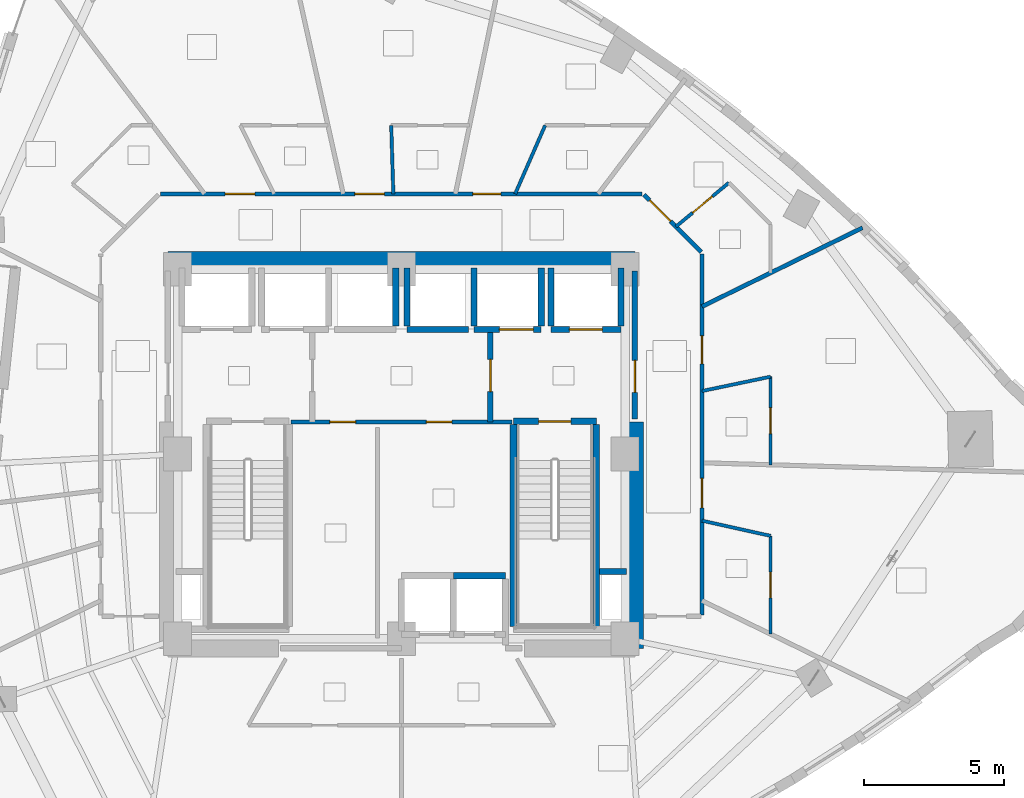
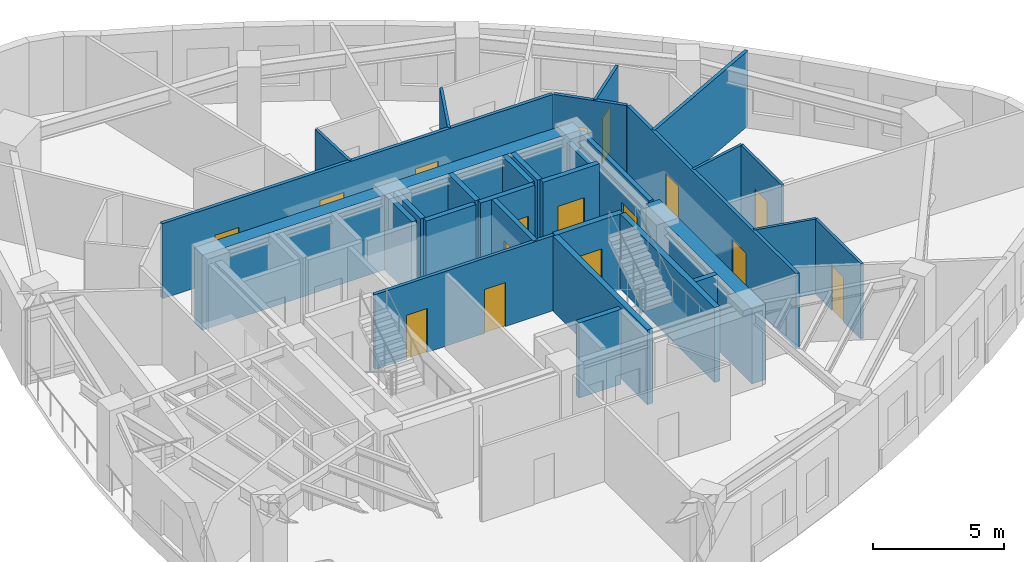
# One storey, part 11 of 16: 30 walls, 16 doors, 16 openings.
"""IFC4 building model written with IfcOpenShell, lengths in metres."""

from ifc_helpers import new_model, si_unit, direction, frame, frame_2d, origin, place, context, subcontext, project, spatial, rectangle, extrude, material, layer, layer_set, type_object, element, fill, save


model = new_model("IFC4")

# Units and contexts
model_context = context("Model", 3, precision=1e-05, world=origin(), true_north=direction((0.0, 1.0)))
body_context = subcontext(model_context, "Body", "Model", "MODEL_VIEW")
ifc_project = project(units=[si_unit("LENGTHUNIT", "METRE"), si_unit("AREAUNIT", "SQUARE_METRE"), si_unit("VOLUMEUNIT", "CUBIC_METRE"), si_unit("PLANEANGLEUNIT", "RADIAN"), si_unit("MASSUNIT", "GRAM", prefix="KILO")], contexts=[model_context])

# Site, building, storey
site_placement = place(None, origin())
site = spatial("IfcSite", under=ifc_project, at=site_placement, CompositionType="ELEMENT")
building_placement = place(site_placement, origin())
building = spatial("IfcBuilding", under=site, at=building_placement, Name="Ndelora Gate Hotel", CompositionType="ELEMENT")
storey_placement = place(building_placement, frame((0.0, 0.0, 97.25)))
storey = spatial("IfcBuildingStorey", under=building, at=storey_placement, Name="L23", CompositionType="ELEMENT", Elevation=97.25)

# Walls
ifc_material_1 = material(Name="Concrete C60/75", Category="concrete")
ifc_layer_1 = layer(ifc_material_1, 0.60009765625)
ifc_layer_set_1 = layer_set([ifc_layer_1], Name="Concrete C60/75")
wall_type_1 = type_object("IfcWallType", Name="WL-CORE-600", PredefinedType="SHEAR", material=ifc_layer_set_1)
wall_1_placement = place(storey_placement, frame((-8.35009765625, 6.949951171875, 0.0), z_axis=(0.0, 0.0, 1.0), x_axis=(1.0, 0.0, 0.0)))
element("IfcWall", 1, at=wall_1_placement, inside=storey, type_object=wall_type_1, Name="L23 Core Shear Wall N", PredefinedType="SHEAR", context=body_context, shape_type="SweptSolid", body=[
    extrude(rectangle(XDim=16.7001953125, YDim=0.60009765625, at=frame_2d((8.35009765625, 0.0))), origin(), (0.0, 0.0, 1.0), 3.5),
])
wall_2_placement = place(storey_placement, frame((8.35009765625, -6.949951171875, 0.0), z_axis=(0.0, 0.0, 1.0), x_axis=(0.0, 1.0, 0.0)))
element("IfcWall", 2, at=wall_2_placement, inside=storey, type_object=wall_type_1, Name="L23 Core Shear Wall E", PredefinedType="SHEAR", context=body_context, shape_type="SweptSolid", body=[
    extrude(rectangle(XDim=8.099853515625, YDim=0.60009765625, at=frame_2d((4.0498046875, 0.0))), origin(), (0.0, 0.0, 1.0), 3.5),
])

# Wall, opening, door
ifc_material_2 = material(Name="Concrete C40/50", Category="concrete")
ifc_layer_2 = layer(ifc_material_2, 0.199951171875)
ifc_layer_set_2 = layer_set([ifc_layer_2], Name="Concrete C40/50")
wall_type_2 = type_object("IfcWallType", Name="WL-FIRE-200", PredefinedType="PARTITIONING", material=ifc_layer_set_2)
wall_3_placement = place(storey_placement, frame((3.179931640625, 1.14990234375, 0.0), z_axis=(0.0, 0.0, 1.0), x_axis=(0.0, 1.0, 0.0)))
wall_3 = element("IfcWall", 3, at=wall_3_placement, inside=storey, type_object=wall_type_2, Name="L23 Interior Wall IW-2", PredefinedType="PARTITIONING", context=body_context, shape_type="SweptSolid", body=[
    extrude(rectangle(XDim=3.300048828125, YDim=0.199951171875, at=frame_2d((1.64990234375, 0.0))), origin(), (0.0, 0.0, 1.0), 3.5),
])
opening_1_placement = place(wall_3_placement, frame((1.080078125, 0.0, 0.0)))
opening_1 = element("IfcOpeningElement", 4, at=opening_1_placement, cuts=wall_3, Name="Opening FD1", PredefinedType="OPENING", context=body_context, shape_type="SweptSolid", body=[
    extrude(rectangle(XDim=1.14990234375, YDim=2.14990234375, at=frame_2d((0.574951171875, 1.074951171875))), frame((0.0, 0.10986328125, 0.0), z_axis=(0.0, -1.0, 0.0), x_axis=(1.0, 0.0, 0.0)), (0.0, 0.0, 1.0), 0.219970703125),
])
ifc_material_3 = material(Name="Fire-Rated Timber-Veneer Steel Core", Category="steel")
door_type_1 = type_object("IfcDoorType", Name="DR-FD60", OperationType="SINGLE_SWING_LEFT", PredefinedType="DOOR", material=ifc_material_3)
door_1_placement = place(opening_1_placement, origin())
door_1 = element("IfcDoor", 5, at=door_1_placement, inside=storey, type_object=door_type_1, Name="L23 Firefighting Lobby East Door", OperationType="SINGLE_SWING_LEFT", OverallHeight=2.14990234375, OverallWidth=1.14990234375, PredefinedType="DOOR", context=body_context, shape_type="SweptSolid", body=[
    extrude(rectangle(XDim=1.14990234375, YDim=2.14990234375, at=frame_2d((0.574951171875, 1.074951171875))), frame((0.0, 0.02490234375, 0.0), z_axis=(0.0, -1.0, 0.0), x_axis=(1.0, 0.0, 0.0)), (0.0, 0.0, 1.0), 0.050048828125),
])
fill(opening_1, door_1)

wall_4_placement = place(storey_placement, frame((8.35009765625, 1.25, 0.0), z_axis=(0.0, 0.0, 1.0), x_axis=(0.0, 1.0, 0.0)))
wall_4 = element("IfcWall", 6, at=wall_4_placement, inside=storey, type_object=wall_type_2, Name="L23 Interior Wall IW-2", PredefinedType="PARTITIONING", context=body_context, shape_type="SweptSolid", body=[
    extrude(rectangle(XDim=5.300048828125, YDim=0.199951171875, at=frame_2d((2.64990234375, 0.0))), origin(), (0.0, 0.0, 1.0), 3.5),
])
opening_2_placement = place(wall_4_placement, frame((0.949951171875, 0.0, 0.0)))
opening_2 = element("IfcOpeningElement", 7, at=opening_2_placement, cuts=wall_4, Name="Opening FD1", PredefinedType="OPENING", context=body_context, shape_type="SweptSolid", body=[
    extrude(rectangle(XDim=1.14990234375, YDim=2.14990234375, at=frame_2d((0.574951171875, 1.074951171875))), frame((0.0, 0.10986328125, 0.0), z_axis=(0.0, -1.0, 0.0), x_axis=(1.0, 0.0, 0.0)), (0.0, 0.0, 1.0), 0.219970703125),
])
door_2_placement = place(opening_2_placement, origin())
door_2 = element("IfcDoor", 8, at=door_2_placement, inside=storey, type_object=door_type_1, Name="L23 Firefighting Lobby East Corridor Door", OperationType="SINGLE_SWING_RIGHT", OverallHeight=2.14990234375, OverallWidth=1.14990234375, PredefinedType="DOOR", context=body_context, shape_type="SweptSolid", body=[
    extrude(rectangle(XDim=1.14990234375, YDim=2.14990234375, at=frame_2d((0.574951171875, 1.074951171875))), frame((0.0, 0.02490234375, 0.0), z_axis=(0.0, -1.0, 0.0), x_axis=(1.0, 0.0, 0.0)), (0.0, 0.0, 1.0), 0.050048828125),
])
fill(opening_2, door_2)

# Wall, openings, doors
ifc_material_4 = material(Name="Fire-Rated Gypsum Stud Partition", Category="gypsum")
ifc_layer_3 = layer(ifc_material_4, 0.14990234375)
ifc_layer_set_3 = layer_set([ifc_layer_3], Name="Fire-Rated Gypsum Stud Partition")
wall_type_3 = type_object("IfcWallType", Name="WL-PART-150", PredefinedType="PARTITIONING", material=ifc_layer_set_3)
wall_5_placement = place(storey_placement, frame((3.949951171875, 1.14990234375, 0.0), z_axis=(0.0, 0.0, 1.0), x_axis=(-1.0, 0.0, 0.0)))
wall_5 = element("IfcWall", 9, at=wall_5_placement, inside=storey, type_object=wall_type_3, Name="L23 Interior Wall IW-5", PredefinedType="PARTITIONING", context=body_context, shape_type="SweptSolid", body=[
    extrude(rectangle(XDim=7.89990234375, YDim=0.14990234375, at=frame_2d((3.949951171875, 0.0))), origin(), (0.0, 0.0, 1.0), 3.5),
])
opening_3_placement = place(wall_5_placement, frame((5.590087890625, 0.0, 0.0)))
opening_3 = element("IfcOpeningElement", 10, at=opening_3_placement, cuts=wall_5, Name="Opening D04", PredefinedType="OPENING", context=body_context, shape_type="SweptSolid", body=[
    extrude(rectangle(XDim=0.919921875, YDim=2.050048828125, at=frame_2d((0.4599609375, 1.02490234375))), frame((0.0, 0.0849609375, 0.0), z_axis=(0.0, -1.0, 0.0), x_axis=(1.0, 0.0, 0.0)), (0.0, 0.0, 1.0), 0.169921875),
])
opening_4_placement = place(wall_5_placement, frame((2.139892578125, 0.0, 0.0)))
opening_4 = element("IfcOpeningElement", 11, at=opening_4_placement, cuts=wall_5, Name="Opening D04", PredefinedType="OPENING", context=body_context, shape_type="SweptSolid", body=[
    extrude(rectangle(XDim=0.919921875, YDim=2.050048828125, at=frame_2d((0.4599609375, 1.02490234375))), frame((0.0, 0.0849609375, 0.0), z_axis=(0.0, -1.0, 0.0), x_axis=(1.0, 0.0, 0.0)), (0.0, 0.0, 1.0), 0.169921875),
])
ifc_material_5 = material(Name="Painted Steel Core Service Door", Category="steel")
door_type_2 = type_object("IfcDoorType", Name="DR-SER-920", OperationType="SINGLE_SWING_LEFT", PredefinedType="DOOR", material=ifc_material_5)
door_3_placement = place(opening_3_placement, origin())
door_3 = element("IfcDoor", 12, at=door_3_placement, inside=storey, type_object=door_type_2, Name="L23 Core Electrical Switchroom Door", OperationType="SINGLE_SWING_LEFT", OverallHeight=2.050048828125, OverallWidth=0.919921875, PredefinedType="DOOR", context=body_context, shape_type="SweptSolid", body=[
    extrude(rectangle(XDim=0.919921875, YDim=2.050048828125, at=frame_2d((0.4599609375, 1.02490234375))), frame((0.0, 0.02490234375, 0.0), z_axis=(0.0, -1.0, 0.0), x_axis=(1.0, 0.0, 0.0)), (0.0, 0.0, 1.0), 0.050048828125),
])
fill(opening_3, door_3)
door_4_placement = place(opening_4_placement, origin())
door_4 = element("IfcDoor", 13, at=door_4_placement, inside=storey, type_object=door_type_2, Name="L23 Central Linen Equipment Store Door", OperationType="SINGLE_SWING_RIGHT", OverallHeight=2.050048828125, OverallWidth=0.919921875, PredefinedType="DOOR", context=body_context, shape_type="SweptSolid", body=[
    extrude(rectangle(XDim=0.919921875, YDim=2.050048828125, at=frame_2d((0.4599609375, 1.02490234375))), frame((0.0, 0.02490234375, 0.0), z_axis=(0.0, -1.0, 0.0), x_axis=(1.0, 0.0, 0.0)), (0.0, 0.0, 1.0), 0.050048828125),
])
fill(opening_4, door_4)

wall_6_placement = place(storey_placement, frame((10.75, 7.159912109375, 0.0), z_axis=(0.0, 0.0, 1.0), x_axis=(0.0, -1.0, 0.0)))
wall_6 = element("IfcWall", 14, at=wall_6_placement, inside=storey, type_object=wall_type_3, Name="L23 Interior Wall IW-5", PredefinedType="PARTITIONING", context=body_context, shape_type="SweptSolid", body=[
    extrude(rectangle(XDim=12.919921875, YDim=0.14990234375, at=frame_2d((6.4599609375, 0.0))), origin(), (0.0, 0.0, 1.0), 3.5),
])
opening_5_placement = place(wall_6_placement, frame((2.937255859375, 0.0, 0.0)))
opening_5 = element("IfcOpeningElement", 15, at=opening_5_placement, cuts=wall_6, Name="Opening D01", PredefinedType="OPENING", context=body_context, shape_type="SweptSolid", body=[
    extrude(rectangle(XDim=1.0, YDim=2.14990234375, at=frame_2d((0.5, 1.074951171875))), frame((0.0, 0.0849609375, 0.0), z_axis=(0.0, -1.0, 0.0), x_axis=(1.0, 0.0, 0.0)), (0.0, 0.0, 1.0), 0.169921875),
])
opening_6_placement = place(wall_6_placement, frame((8.02978515625, 0.0, 0.0)))
opening_6 = element("IfcOpeningElement", 16, at=opening_6_placement, cuts=wall_6, Name="Opening D07", PredefinedType="OPENING", context=body_context, shape_type="SweptSolid", body=[
    extrude(rectangle(XDim=1.06005859375, YDim=2.14990234375, at=frame_2d((0.530029296875, 1.074951171875))), frame((0.0, 0.0849609375, 0.0), z_axis=(0.0, -1.0, 0.0), x_axis=(1.0, 0.0, 0.0)), (0.0, 0.0, 1.0), 0.169921875),
])
ifc_material_6 = material(Name="Acoustic Hardwood Guest Entrance Door", Category="wood")
door_type_3 = type_object("IfcDoorType", Name="DR-COR-1000", OperationType="SINGLE_SWING_LEFT", PredefinedType="DOOR", material=ifc_material_6)
door_5_placement = place(opening_5_placement, origin())
door_5 = element("IfcDoor", 17, at=door_5_placement, inside=storey, type_object=door_type_3, Name="L23 Club King Guest Room 2604 Entrance Door", OperationType="SINGLE_SWING_LEFT", OverallHeight=2.14990234375, OverallWidth=1.0, PredefinedType="DOOR", context=body_context, shape_type="SweptSolid", body=[
    extrude(rectangle(XDim=1.0, YDim=2.14990234375, at=frame_2d((0.5, 1.074951171875))), frame((0.0, 0.02490234375, 0.0), z_axis=(0.0, -1.0, 0.0), x_axis=(1.0, 0.0, 0.0)), (0.0, 0.0, 1.0), 0.050048828125),
])
fill(opening_5, door_5)
ifc_material_7 = material(Name="Diplomatic Suite Acoustic Entrance Door", Category="wood")
door_type_4 = type_object("IfcDoorType", Name="DR-SUITE-1060", OperationType="SINGLE_SWING_LEFT", PredefinedType="DOOR", material=ifc_material_7)
door_6_placement = place(opening_6_placement, origin())
door_6 = element("IfcDoor", 18, at=door_6_placement, inside=storey, type_object=door_type_4, Name="L23 Corner Club Suite 2603 Entrance Door", OperationType="SINGLE_SWING_RIGHT", OverallHeight=2.14990234375, OverallWidth=1.06005859375, PredefinedType="DOOR", context=body_context, shape_type="SweptSolid", body=[
    extrude(rectangle(XDim=1.06005859375, YDim=2.14990234375, at=frame_2d((0.530029296875, 1.074951171875))), frame((0.0, 0.02490234375, 0.0), z_axis=(0.0, -1.0, 0.0), x_axis=(1.0, 0.0, 0.0)), (0.0, 0.0, 1.0), 0.050048828125),
])
fill(opening_6, door_6)

# Wall, opening, door
wall_7_placement = place(storey_placement, frame((8.67822265625, 9.271728515625, 0.0), z_axis=(0.0, 0.0, 1.0), x_axis=(0.707106781187, -0.707106781187, 0.0)))
wall_7 = element("IfcWall", 19, at=wall_7_placement, inside=storey, type_object=wall_type_3, Name="L23 Interior Wall IW-5", PredefinedType="PARTITIONING", context=body_context, shape_type="SweptSolid", body=[
    extrude(rectangle(XDim=2.889892578125, YDim=0.14990234375, at=frame_2d((1.44482421875, 0.0))), origin(), (0.0, 0.0, 1.0), 3.5),
])
opening_7_placement = place(wall_7_placement, frame((0.280029296875, 0.0, 0.0)))
opening_7 = element("IfcOpeningElement", 20, at=opening_7_placement, cuts=wall_7, Name="Opening D07", PredefinedType="OPENING", context=body_context, shape_type="SweptSolid", body=[
    extrude(rectangle(XDim=1.06005859375, YDim=2.14990234375, at=frame_2d((0.530029296875, 1.074951171875))), frame((0.0, 0.0849609375, 0.0), z_axis=(0.0, -1.0, 0.0), x_axis=(1.0, 0.0, 0.0)), (0.0, 0.0, 1.0), 0.169921875),
])
door_7_placement = place(opening_7_placement, origin())
door_7 = element("IfcDoor", 21, at=door_7_placement, inside=storey, type_object=door_type_4, Name="L23 South Reclaimed Club Suite 2605 Entrance Door", OperationType="SINGLE_SWING_RIGHT", OverallHeight=2.14990234375, OverallWidth=1.06005859375, PredefinedType="DOOR", context=body_context, shape_type="SweptSolid", body=[
    extrude(rectangle(XDim=1.06005859375, YDim=2.14990234375, at=frame_2d((0.530029296875, 1.074951171875))), frame((0.0, 0.02490234375, 0.0), z_axis=(0.0, -1.0, 0.0), x_axis=(1.0, 0.0, 0.0)), (0.0, 0.0, 1.0), 0.050048828125),
])
fill(opening_7, door_7)

# Wall, openings, doors
wall_8_placement = place(storey_placement, frame((-8.610107421875, 9.300048828125, 0.0), z_axis=(0.0, 0.0, 1.0), x_axis=(1.0, 0.0, 0.0)))
wall_8 = element("IfcWall", 22, at=wall_8_placement, inside=storey, type_object=wall_type_3, Name="L23 Interior Wall IW-5", PredefinedType="PARTITIONING", context=body_context, shape_type="SweptSolid", body=[
    extrude(rectangle(XDim=17.22021484375, YDim=0.14990234375, at=frame_2d((8.610107421875, 0.0))), origin(), (0.0, 0.0, 1.0), 3.5),
])
opening_8_placement = place(wall_8_placement, frame((11.16650390625, 0.0, 0.0)))
opening_8 = element("IfcOpeningElement", 23, at=opening_8_placement, cuts=wall_8, Name="Opening D01", PredefinedType="OPENING", context=body_context, shape_type="SweptSolid", body=[
    extrude(rectangle(XDim=1.0, YDim=2.14990234375, at=frame_2d((0.5, 1.074951171875))), frame((0.0, 0.0849609375, 0.0), z_axis=(0.0, -1.0, 0.0), x_axis=(1.0, 0.0, 0.0)), (0.0, 0.0, 1.0), 0.169921875),
])
opening_9_placement = place(wall_8_placement, frame((6.9443359375, 0.0, 0.0)))
opening_9 = element("IfcOpeningElement", 24, at=opening_9_placement, cuts=wall_8, Name="Opening D07", PredefinedType="OPENING", context=body_context, shape_type="SweptSolid", body=[
    extrude(rectangle(XDim=1.06005859375, YDim=2.14990234375, at=frame_2d((0.530029296875, 1.074951171875))), frame((0.0, 0.0849609375, 0.0), z_axis=(0.0, -1.0, 0.0), x_axis=(1.0, 0.0, 0.0)), (0.0, 0.0, 1.0), 0.169921875),
])
opening_10_placement = place(wall_8_placement, frame((2.31103515625, 0.0, 0.0)))
opening_10 = element("IfcOpeningElement", 25, at=opening_10_placement, cuts=wall_8, Name="Opening D07", PredefinedType="OPENING", context=body_context, shape_type="SweptSolid", body=[
    extrude(rectangle(XDim=1.06005859375, YDim=2.14990234375, at=frame_2d((0.530029296875, 1.074951171875))), frame((0.0, 0.0849609375, 0.0), z_axis=(0.0, -1.0, 0.0), x_axis=(1.0, 0.0, 0.0)), (0.0, 0.0, 1.0), 0.169921875),
])
door_8_placement = place(opening_8_placement, origin())
door_8 = element("IfcDoor", 26, at=door_8_placement, inside=storey, type_object=door_type_3, Name="L23 Club Twin Guest Room 2606 Entrance Door", OperationType="SINGLE_SWING_RIGHT", OverallHeight=2.14990234375, OverallWidth=1.0, PredefinedType="DOOR", context=body_context, shape_type="SweptSolid", body=[
    extrude(rectangle(XDim=1.0, YDim=2.14990234375, at=frame_2d((0.5, 1.074951171875))), frame((0.0, 0.02490234375, 0.0), z_axis=(0.0, -1.0, 0.0), x_axis=(1.0, 0.0, 0.0)), (0.0, 0.0, 1.0), 0.050048828125),
])
fill(opening_8, door_8)
door_9_placement = place(opening_9_placement, origin())
door_9 = element("IfcDoor", 27, at=door_9_placement, inside=storey, type_object=door_type_4, Name="L23 Corner Junior Suite 2607 Entrance Door", OperationType="SINGLE_SWING_RIGHT", OverallHeight=2.14990234375, OverallWidth=1.06005859375, PredefinedType="DOOR", context=body_context, shape_type="SweptSolid", body=[
    extrude(rectangle(XDim=1.06005859375, YDim=2.14990234375, at=frame_2d((0.530029296875, 1.074951171875))), frame((0.0, 0.02490234375, 0.0), z_axis=(0.0, -1.0, 0.0), x_axis=(1.0, 0.0, 0.0)), (0.0, 0.0, 1.0), 0.050048828125),
])
fill(opening_9, door_9)
door_10_placement = place(opening_10_placement, origin())
door_10 = element("IfcDoor", 28, at=door_10_placement, inside=storey, type_object=door_type_4, Name="L23 Club Superior Junior Suite 2608 Entrance Door", OperationType="SINGLE_SWING_LEFT", OverallHeight=2.14990234375, OverallWidth=1.06005859375, PredefinedType="DOOR", context=body_context, shape_type="SweptSolid", body=[
    extrude(rectangle(XDim=1.06005859375, YDim=2.14990234375, at=frame_2d((0.530029296875, 1.074951171875))), frame((0.0, 0.02490234375, 0.0), z_axis=(0.0, -1.0, 0.0), x_axis=(1.0, 0.0, 0.0)), (0.0, 0.0, 1.0), 0.050048828125),
])
fill(opening_10, door_10)

# Walls
wall_9_placement = place(storey_placement, frame((10.75, 5.2744140625, 0.0), z_axis=(0.0, 0.0, 1.0), x_axis=(0.897755780575, 0.440493539616, 0.0)))
element("IfcWall", 29, at=wall_9_placement, inside=storey, type_object=wall_type_3, Name="L23 Interior Wall IW-5", PredefinedType="PARTITIONING", context=body_context, shape_type="SweptSolid", body=[
    extrude(rectangle(XDim=6.3916015625, YDim=0.14990234375, at=frame_2d((3.19580078125, 0.0))), origin(), (0.0, 0.0, 1.0), 3.5),
])
ifc_layer_4 = layer(ifc_material_2, 0.219970703125)
ifc_layer_set_4 = layer_set([ifc_layer_4], Name="Concrete C40/50")
wall_type_4 = type_object("IfcWallType", Name="WL-SHAFT-220", PredefinedType="PARTITIONING", material=ifc_layer_set_4)
wall_10_placement = place(storey_placement, frame((7.090087890625, -4.199951171875, 0.0), z_axis=(0.0, 0.0, 1.0), x_axis=(1.0, 0.0, 0.0)))
element("IfcWall", 30, at=wall_10_placement, inside=storey, type_object=wall_type_4, Name="L23 Interior Wall IW-1", PredefinedType="PARTITIONING", context=body_context, shape_type="SweptSolid", body=[
    extrude(rectangle(XDim=0.9599609375, YDim=0.219970703125, at=frame_2d((0.47998046875, 0.0))), origin(), (0.0, 0.0, 1.0), 3.5),
])

# Wall, opening, door
wall_11_placement = place(storey_placement, frame((5.35009765625, 4.449951171875, 0.0), z_axis=(0.0, 0.0, 1.0), x_axis=(1.0, 0.0, 0.0)))
wall_11 = element("IfcWall", 31, at=wall_11_placement, inside=storey, type_object=wall_type_4, Name="L23 Interior Wall IW-1", PredefinedType="PARTITIONING", context=body_context, shape_type="SweptSolid", body=[
    extrude(rectangle(XDim=2.5, YDim=0.219970703125, at=frame_2d((1.25, 0.0))), origin(), (0.0, 0.0, 1.0), 3.5),
])
opening_11_placement = place(wall_11_placement, frame((0.659912109375, 0.0, 0.0)))
opening_11 = element("IfcOpeningElement", 32, at=opening_11_placement, cuts=wall_11, Name="Opening LD5", PredefinedType="OPENING", context=body_context, shape_type="SweptSolid", body=[
    extrude(rectangle(XDim=1.179931640625, YDim=2.14990234375, at=frame_2d((0.58984375, 1.074951171875))), frame((0.0, 0.1201171875, 0.0), z_axis=(0.0, -1.0, 0.0), x_axis=(1.0, 0.0, 0.0)), (0.0, 0.0, 1.0), 0.239990234375),
])
ifc_material_8 = material(Name="Firefighting Lift Stainless Sliding Landing Door", Category="metal")
door_type_5 = type_object("IfcDoorType", Name="DR-LD5", OperationType="DOUBLE_DOOR_SLIDING", PredefinedType="DOOR", material=ifc_material_8)
door_11_placement = place(opening_11_placement, origin())
door_11 = element("IfcDoor", 33, at=door_11_placement, inside=storey, type_object=door_type_5, Name="L23 Lift Landing Sliding Door FFL2", OperationType="DOUBLE_DOOR_SLIDING", OverallHeight=2.14990234375, OverallWidth=1.179931640625, PredefinedType="DOOR", context=body_context, shape_type="SweptSolid", body=[
    extrude(rectangle(XDim=1.179931640625, YDim=2.14990234375, at=frame_2d((0.58984375, 1.074951171875))), frame((0.0, 0.02490234375, 0.0), z_axis=(0.0, -1.0, 0.0), x_axis=(1.0, 0.0, 0.0)), (0.0, 0.0, 1.0), 0.050048828125),
])
fill(opening_11, door_11)

# Walls
wall_12_placement = place(storey_placement, frame((5.35009765625, 4.570068359375, 0.0), z_axis=(0.0, 0.0, 1.0), x_axis=(0.0, 1.0, 0.0)))
element("IfcWall", 34, at=wall_12_placement, inside=storey, type_object=wall_type_4, Name="L23 Interior Wall IW-1", PredefinedType="PARTITIONING", context=body_context, shape_type="SweptSolid", body=[
    extrude(rectangle(XDim=2.079833984375, YDim=0.219970703125, at=frame_2d((1.0400390625, 0.0))), origin(), (0.0, 0.0, 1.0), 3.5),
])
wall_13_placement = place(storey_placement, frame((7.85009765625, 4.570068359375, 0.0), z_axis=(0.0, 0.0, 1.0), x_axis=(0.0, 1.0, 0.0)))
element("IfcWall", 35, at=wall_13_placement, inside=storey, type_object=wall_type_4, Name="L23 Interior Wall IW-1", PredefinedType="PARTITIONING", context=body_context, shape_type="SweptSolid", body=[
    extrude(rectangle(XDim=2.079833984375, YDim=0.219970703125, at=frame_2d((1.0400390625, 0.0))), origin(), (0.0, 0.0, 1.0), 3.1201171875),
])

# Wall, opening, door
wall_14_placement = place(storey_placement, frame((2.60009765625, 4.449951171875, 0.0), z_axis=(0.0, 0.0, 1.0), x_axis=(1.0, 0.0, 0.0)))
wall_14 = element("IfcWall", 36, at=wall_14_placement, inside=storey, type_object=wall_type_4, Name="L23 Interior Wall IW-1", PredefinedType="PARTITIONING", context=body_context, shape_type="SweptSolid", body=[
    extrude(rectangle(XDim=2.39990234375, YDim=0.219970703125, at=frame_2d((1.199951171875, 0.0))), origin(), (0.0, 0.0, 1.0), 3.5),
])
opening_12_placement = place(wall_14_placement, frame((0.89990234375, 0.0, 0.0)))
opening_12 = element("IfcOpeningElement", 37, at=opening_12_placement, cuts=wall_14, Name="Opening LD6", PredefinedType="OPENING", context=body_context, shape_type="SweptSolid", body=[
    extrude(rectangle(XDim=1.219970703125, YDim=2.14990234375, at=frame_2d((0.60986328125, 1.074951171875))), frame((0.0, 0.1201171875, 0.0), z_axis=(0.0, -1.0, 0.0), x_axis=(1.0, 0.0, 0.0)), (0.0, 0.0, 1.0), 0.239990234375),
])
ifc_material_9 = material(Name="Heavy-Duty Service Lift Sliding Landing Door", Category="wood")
door_type_6 = type_object("IfcDoorType", Name="DR-LD6", OperationType="DOUBLE_DOOR_SLIDING", PredefinedType="DOOR", material=ifc_material_9)
door_12_placement = place(opening_12_placement, origin())
door_12 = element("IfcDoor", 38, at=door_12_placement, inside=storey, type_object=door_type_6, Name="L23 Lift Landing Sliding Door SVL2", OperationType="DOUBLE_DOOR_SLIDING", OverallHeight=2.14990234375, OverallWidth=1.219970703125, PredefinedType="DOOR", context=body_context, shape_type="SweptSolid", body=[
    extrude(rectangle(XDim=1.219970703125, YDim=2.14990234375, at=frame_2d((0.60986328125, 1.074951171875))), frame((0.0, 0.02490234375, 0.0), z_axis=(0.0, -1.0, 0.0), x_axis=(1.0, 0.0, 0.0)), (0.0, 0.0, 1.0), 0.050048828125),
])
fill(opening_12, door_12)

# Walls
for number, where, z_axis, x_axis, name in (
    (39, (2.60009765625, 4.570068359375, 0.0), (0.0, 0.0, 1.0), (0.0, 1.0, 0.0), "L23 Interior Wall IW-1"),
    (40, (5.0, 4.570068359375, 0.0), (0.0, 0.0, 1.0), (0.0, 1.0, 0.0), "L23 Interior Wall IW-1"),
):
    element("IfcWall", number, at=place(storey_placement, frame(where, z_axis=z_axis, x_axis=x_axis)), inside=storey, type_object=wall_type_4, Name=name, PredefinedType="PARTITIONING", context=body_context, shape_type="SweptSolid", body=[
        extrude(rectangle(XDim=2.079833984375, YDim=0.219970703125, at=frame_2d((1.0400390625, 0.0))), origin(), (0.0, 0.0, 1.0), 3.5),
    ])
wall_15_placement = place(storey_placement, frame((1.860107421875, -4.35009765625, 0.0), z_axis=(0.0, 0.0, 1.0), x_axis=(1.0, 0.0, 0.0)))
element("IfcWall", 41, at=wall_15_placement, inside=storey, type_object=wall_type_4, Name="L23 Interior Wall IW-1", PredefinedType="PARTITIONING", context=body_context, shape_type="SweptSolid", body=[
    extrude(rectangle(XDim=1.85986328125, YDim=0.219970703125, at=frame_2d((0.929931640625, 0.0))), origin(), (0.0, 0.0, 1.0), 3.5),
])
wall_16_placement = place(storey_placement, frame((-0.199951171875, 4.570068359375, 0.0), z_axis=(0.0, 0.0, 1.0), x_axis=(0.0, 1.0, 0.0)))
element("IfcWall", 42, at=wall_16_placement, inside=storey, type_object=wall_type_4, Name="L23 Interior Wall IW-1", PredefinedType="PARTITIONING", context=body_context, shape_type="SweptSolid", body=[
    extrude(rectangle(XDim=2.079833984375, YDim=0.219970703125, at=frame_2d((1.0400390625, 0.0))), origin(), (0.0, 0.0, 1.0), 3.5),
])
wall_17_placement = place(storey_placement, frame((0.199951171875, 4.449951171875, 0.0), z_axis=(0.0, 0.0, 1.0), x_axis=(1.0, 0.0, 0.0)))
element("IfcWall", 43, at=wall_17_placement, inside=storey, type_object=wall_type_4, Name="L23 Interior Wall IW-1", PredefinedType="PARTITIONING", context=body_context, shape_type="SweptSolid", body=[
    extrude(rectangle(XDim=2.199951171875, YDim=0.219970703125, at=frame_2d((1.10009765625, 0.0))), origin(), (0.0, 0.0, 1.0), 3.5),
])
wall_18_placement = place(storey_placement, frame((0.199951171875, 4.570068359375, 0.0), z_axis=(0.0, 0.0, 1.0), x_axis=(0.0, 1.0, 0.0)))
element("IfcWall", 44, at=wall_18_placement, inside=storey, type_object=wall_type_4, Name="L23 Interior Wall IW-1", PredefinedType="PARTITIONING", context=body_context, shape_type="SweptSolid", body=[
    extrude(rectangle(XDim=2.079833984375, YDim=0.219970703125, at=frame_2d((1.0400390625, 0.0))), origin(), (0.0, 0.0, 1.0), 3.5),
])
ifc_material_10 = material(Name="Concrete C50/60", Category="concrete")
ifc_layer_5 = layer(ifc_material_10, 0.239990234375)
ifc_layer_set_5 = layer_set([ifc_layer_5], Name="Concrete C50/60")
wall_type_5 = type_object("IfcWallType", Name="WL-STAIR-240", PredefinedType="SHEAR", material=ifc_layer_set_5)
for number, where, z_axis, x_axis, name in (
    (45, (4.010009765625, -6.159912109375, 0.0), (0.0, 0.0, 1.0), (0.0, 1.0, 0.0), "L23 Stair Core Shear Wall SW-ST"),
    (46, (6.969970703125, -6.159912109375, 0.0), (0.0, 0.0, 1.0), (0.0, 1.0, 0.0), "L23 Stair Core Shear Wall SW-ST"),
):
    element("IfcWall", number, at=place(storey_placement, frame(where, z_axis=z_axis, x_axis=x_axis)), inside=storey, type_object=wall_type_5, Name=name, PredefinedType="SHEAR", context=body_context, shape_type="SweptSolid", body=[
        extrude(rectangle(XDim=7.219970703125, YDim=0.239990234375, at=frame_2d((3.60986328125, 0.0))), origin(), (0.0, 0.0, 1.0), 3.5),
    ])

# Wall, opening, door
wall_19_placement = place(storey_placement, frame((4.010009765625, 1.169921875, 0.0), z_axis=(0.0, 0.0, 1.0), x_axis=(1.0, 0.0, 0.0)))
wall_19 = element("IfcWall", 47, at=wall_19_placement, inside=storey, type_object=wall_type_5, Name="L23 Stair Core Shear Wall SW-ST", PredefinedType="SHEAR", context=body_context, shape_type="SweptSolid", body=[
    extrude(rectangle(XDim=2.9599609375, YDim=0.239990234375, at=frame_2d((1.47998046875, 0.0))), origin(), (0.0, 0.0, 1.0), 3.5),
])
opening_13_placement = place(wall_19_placement, frame((0.89990234375, 0.0, 0.0)))
opening_13 = element("IfcOpeningElement", 48, at=opening_13_placement, cuts=wall_19, Name="Opening FD1", PredefinedType="OPENING", context=body_context, shape_type="SweptSolid", body=[
    extrude(rectangle(XDim=1.14990234375, YDim=2.14990234375, at=frame_2d((0.574951171875, 1.074951171875))), frame((0.0, 0.1298828125, 0.0), z_axis=(0.0, -1.0, 0.0), x_axis=(1.0, 0.0, 0.0)), (0.0, 0.0, 1.0), 0.260009765625),
])
door_13_placement = place(opening_13_placement, origin())
door_13 = element("IfcDoor", 49, at=door_13_placement, inside=storey, type_object=door_type_1, Name="L23 Exit Stair ST5 Door", OperationType="SINGLE_SWING_RIGHT", OverallHeight=2.14990234375, OverallWidth=1.14990234375, PredefinedType="DOOR", context=body_context, shape_type="SweptSolid", body=[
    extrude(rectangle(XDim=1.14990234375, YDim=2.14990234375, at=frame_2d((0.574951171875, 1.074951171875))), frame((0.0, 0.02490234375, 0.0), z_axis=(0.0, -1.0, 0.0), x_axis=(1.0, 0.0, 0.0)), (0.0, 0.0, 1.0), 0.050048828125),
])
fill(opening_13, door_13)

# Wall
ifc_material_11 = material(Name="Moisture-Resistant Bathroom Tile Partition", Category="gypsum")
ifc_layer_6 = layer(ifc_material_11, 0.1201171875)
ifc_layer_set_6 = layer_set([ifc_layer_6], Name="Moisture-Resistant Bathroom Tile Partition")
wall_type_6 = type_object("IfcWallType", Name="WL-WET-120", PredefinedType="PARTITIONING", material=ifc_layer_set_6)
wall_20_placement = place(storey_placement, frame((10.75, -2.38330078125, 0.0), z_axis=(0.0, 0.0, 1.0), x_axis=(0.976289961462, -0.216466882337, 0.0)))
element("IfcWall", 50, at=wall_20_placement, inside=storey, type_object=wall_type_6, Name="L23 Interior Wall IW-7", PredefinedType="PARTITIONING", context=body_context, shape_type="SweptSolid", body=[
    extrude(rectangle(XDim=2.509521484375, YDim=0.1201171875, at=frame_2d((1.2548828125, 0.0))), origin(), (0.0, 0.0, 1.0), 3.5),
])

# Wall, opening, door
wall_21_placement = place(storey_placement, frame((13.199951171875, -2.926513671875, 0.0), z_axis=(0.0, 0.0, 1.0), x_axis=(0.0, -1.0, 0.0)))
wall_21 = element("IfcWall", 51, at=wall_21_placement, inside=storey, type_object=wall_type_6, Name="L23 Interior Wall IW-7", PredefinedType="PARTITIONING", context=body_context, shape_type="SweptSolid", body=[
    extrude(rectangle(XDim=3.511474609375, YDim=0.1201171875, at=frame_2d((1.755859375, 0.0))), origin(), (0.0, 0.0, 1.0), 3.5),
])
opening_14_placement = place(wall_21_placement, frame((1.2958984375, 0.0, 0.0)))
opening_14 = element("IfcOpeningElement", 52, at=opening_14_placement, cuts=wall_21, Name="Opening D03", PredefinedType="OPENING", context=body_context, shape_type="SweptSolid", body=[
    extrude(rectangle(XDim=0.919921875, YDim=2.10009765625, at=frame_2d((0.4599609375, 1.050048828125))), frame((0.0, 0.070068359375, 0.0), z_axis=(0.0, -1.0, 0.0), x_axis=(1.0, 0.0, 0.0)), (0.0, 0.0, 1.0), 0.14013671875),
])
ifc_material_12 = material(Name="Moisture-Resistant Hardwood En-Suite Door", Category="wood")
door_type_7 = type_object("IfcDoorType", Name="DR-BATH-920", OperationType="SINGLE_SWING_LEFT", PredefinedType="DOOR", material=ifc_material_12)
door_14_placement = place(opening_14_placement, origin())
door_14 = element("IfcDoor", 53, at=door_14_placement, inside=storey, type_object=door_type_7, Name="L23 En-suite Bathroom 2603 Door", OperationType="SINGLE_SWING_RIGHT", OverallHeight=2.10009765625, OverallWidth=0.919921875, PredefinedType="DOOR", context=body_context, shape_type="SweptSolid", body=[
    extrude(rectangle(XDim=0.919921875, YDim=2.10009765625, at=frame_2d((0.4599609375, 1.050048828125))), frame((0.0, 0.02490234375, 0.0), z_axis=(0.0, -1.0, 0.0), x_axis=(1.0, 0.0, 0.0)), (0.0, 0.0, 1.0), 0.050048828125),
])
fill(opening_14, door_14)

# Wall
wall_22_placement = place(storey_placement, frame((13.199951171875, 2.7646484375, 0.0), z_axis=(0.0, 0.0, 1.0), x_axis=(-0.978777888037, -0.204924000276, 0.0)))
element("IfcWall", 54, at=wall_22_placement, inside=storey, type_object=wall_type_6, Name="L23 Interior Wall IW-7", PredefinedType="PARTITIONING", context=body_context, shape_type="SweptSolid", body=[
    extrude(rectangle(XDim=2.503173828125, YDim=0.1201171875, at=frame_2d((1.25146484375, 0.0))), origin(), (0.0, 0.0, 1.0), 3.5),
])

# Wall, opening, door
wall_23_placement = place(storey_placement, frame((13.199951171875, 2.7646484375, 0.0), z_axis=(0.0, 0.0, 1.0), x_axis=(0.0, -1.0, 0.0)))
wall_23 = element("IfcWall", 55, at=wall_23_placement, inside=storey, type_object=wall_type_6, Name="L23 Interior Wall IW-7", PredefinedType="PARTITIONING", context=body_context, shape_type="SweptSolid", body=[
    extrude(rectangle(XDim=3.149658203125, YDim=0.1201171875, at=frame_2d((1.57470703125, 0.0))), origin(), (0.0, 0.0, 1.0), 3.5),
])
opening_15_placement = place(wall_23_placement, frame((1.11474609375, 0.0, 0.0)))
opening_15 = element("IfcOpeningElement", 56, at=opening_15_placement, cuts=wall_23, Name="Opening D03", PredefinedType="OPENING", context=body_context, shape_type="SweptSolid", body=[
    extrude(rectangle(XDim=0.919921875, YDim=2.10009765625, at=frame_2d((0.4599609375, 1.050048828125))), frame((0.0, 0.070068359375, 0.0), z_axis=(0.0, -1.0, 0.0), x_axis=(1.0, 0.0, 0.0)), (0.0, 0.0, 1.0), 0.14013671875),
])
door_15_placement = place(opening_15_placement, origin())
door_15 = element("IfcDoor", 57, at=door_15_placement, inside=storey, type_object=door_type_7, Name="L23 En-suite Bathroom 2604 Door", OperationType="SINGLE_SWING_LEFT", OverallHeight=2.10009765625, OverallWidth=0.919921875, PredefinedType="DOOR", context=body_context, shape_type="SweptSolid", body=[
    extrude(rectangle(XDim=0.919921875, YDim=2.10009765625, at=frame_2d((0.4599609375, 1.050048828125))), frame((0.0, 0.02490234375, 0.0), z_axis=(0.0, -1.0, 0.0), x_axis=(1.0, 0.0, 0.0)), (0.0, 0.0, 1.0), 0.050048828125),
])
fill(opening_15, door_15)

wall_24_placement = place(storey_placement, frame((9.81787109375, 8.132080078125, 0.0), z_axis=(0.0, 0.0, 1.0), x_axis=(0.770088402747, 0.63793718496, 0.0)))
wall_24 = element("IfcWall", 58, at=wall_24_placement, inside=storey, type_object=wall_type_6, Name="L23 Interior Wall IW-7", PredefinedType="PARTITIONING", context=body_context, shape_type="SweptSolid", body=[
    extrude(rectangle(XDim=2.460693359375, YDim=0.1201171875, at=frame_2d((1.23046875, 0.0))), origin(), (0.0, 0.0, 1.0), 3.5),
])
opening_16_placement = place(wall_24_placement, frame((0.7705078125, 0.0, 0.0)))
opening_16 = element("IfcOpeningElement", 59, at=opening_16_placement, cuts=wall_24, Name="Opening D03", PredefinedType="OPENING", context=body_context, shape_type="SweptSolid", body=[
    extrude(rectangle(XDim=0.919921875, YDim=2.10009765625, at=frame_2d((0.4599609375, 1.050048828125))), frame((0.0, 0.070068359375, 0.0), z_axis=(0.0, -1.0, 0.0), x_axis=(1.0, 0.0, 0.0)), (0.0, 0.0, 1.0), 0.14013671875),
])
door_16_placement = place(opening_16_placement, origin())
door_16 = element("IfcDoor", 60, at=door_16_placement, inside=storey, type_object=door_type_7, Name="L23 En-suite Bathroom 2605 Door", OperationType="SINGLE_SWING_RIGHT", OverallHeight=2.10009765625, OverallWidth=0.919921875, PredefinedType="DOOR", context=body_context, shape_type="SweptSolid", body=[
    extrude(rectangle(XDim=0.919921875, YDim=2.10009765625, at=frame_2d((0.4599609375, 1.050048828125))), frame((0.0, 0.02490234375, 0.0), z_axis=(0.0, -1.0, 0.0), x_axis=(1.0, 0.0, 0.0)), (0.0, 0.0, 1.0), 0.050048828125),
])
fill(opening_16, door_16)

# Walls
wall_25_placement = place(storey_placement, frame((4.068115234375, 9.300048828125, 0.0), z_axis=(0.0, 0.0, 1.0), x_axis=(0.400794887066, 0.916167811322, 0.0)))
element("IfcWall", 61, at=wall_25_placement, inside=storey, type_object=wall_type_6, Name="L23 Interior Wall IW-7", PredefinedType="PARTITIONING", context=body_context, shape_type="SweptSolid", body=[
    extrude(rectangle(XDim=2.674072265625, YDim=0.1201171875, at=frame_2d((1.3369140625, 0.0))), origin(), (0.0, 0.0, 1.0), 3.5),
])
wall_26_placement = place(storey_placement, frame((-0.287353515625, 9.300048828125, 0.0), z_axis=(0.0, 0.0, 1.0), x_axis=(-0.030877148781, 0.999523187166, 0.0)))
element("IfcWall", 62, at=wall_26_placement, inside=storey, type_object=wall_type_6, Name="L23 Interior Wall IW-7", PredefinedType="PARTITIONING", context=body_context, shape_type="SweptSolid", body=[
    extrude(rectangle(XDim=2.451171875, YDim=0.1201171875, at=frame_2d((1.2255859375, 0.0))), origin(), (0.0, 0.0, 1.0), 3.5),
])

save(model, "model.ifc")
